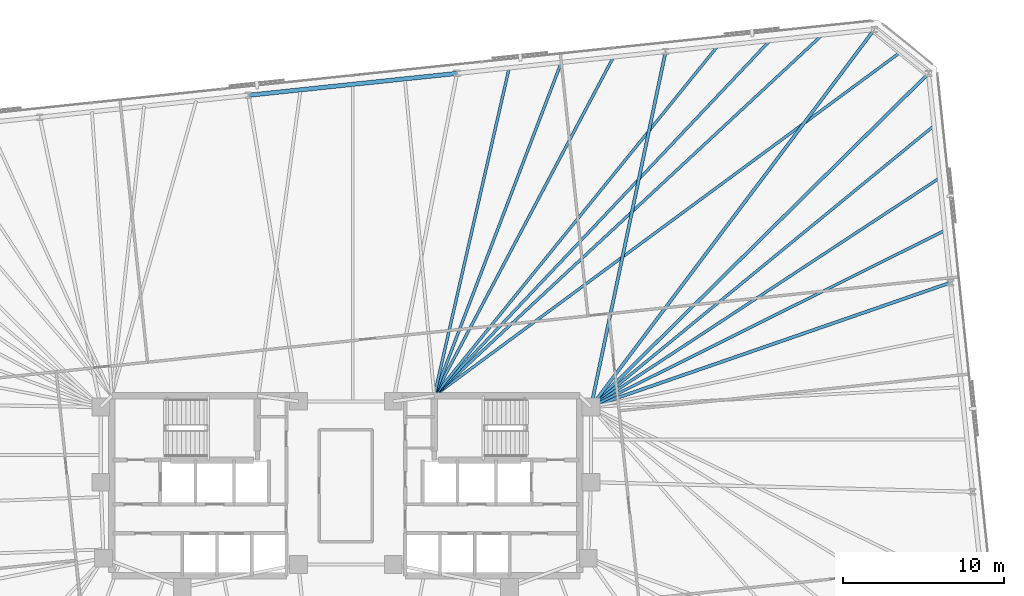
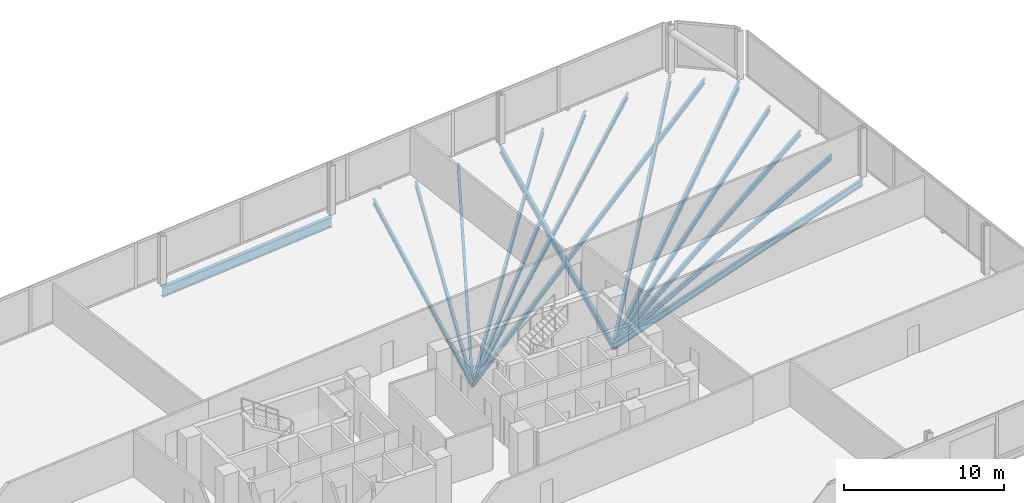
# One storey, part 10 of 18: 15 beams.
"""IFC4 building model written with IfcOpenShell, lengths in metres."""

from ifc_helpers import new_model, si_unit, direction, frame, origin, origin_2d, place, context, subcontext, project, spatial, i_section, extrude, material, material_profile, profile_set, type_object, element, save


model = new_model("IFC4")

# Units and contexts
model_context = context("Model", 3, precision=1e-05, world=origin(), true_north=direction((0.0, 1.0)))
body_context = subcontext(model_context, "Body", "Model", "MODEL_VIEW")
ifc_project = project(units=[si_unit("LENGTHUNIT", "METRE"), si_unit("AREAUNIT", "SQUARE_METRE"), si_unit("VOLUMEUNIT", "CUBIC_METRE"), si_unit("PLANEANGLEUNIT", "RADIAN"), si_unit("MASSUNIT", "GRAM", prefix="KILO")], contexts=[model_context])

# Site, building, storey
site_placement = place(None, origin())
site = spatial("IfcSite", under=ifc_project, at=site_placement, CompositionType="ELEMENT")
building_placement = place(site_placement, origin())
building = spatial("IfcBuilding", under=site, at=building_placement, Name="Menara Jurai Vektor", CompositionType="ELEMENT")
storey_placement = place(building_placement, frame((0.0, 0.0, 135.5)))
storey = spatial("IfcBuildingStorey", under=building, at=storey_placement, Name="L34", CompositionType="ELEMENT", Elevation=135.5)

# Beams
ifc_material_1 = material(Name="Steel S355", Category="steel")
ifc_material_profile_1 = material_profile(ifc_material_1, i_section(OverallWidth=0.199951171875, OverallDepth=0.5, WebThickness=0.011962890625, FlangeThickness=0.02001953125, at=origin_2d()), Name="PG 500x200x96")
ifc_profile_set_1 = profile_set([ifc_material_profile_1], Name="Steel S355")
beam_type_1 = type_object("IfcBeamType", Name="STR-BM-500", PredefinedType="BEAM", material=ifc_profile_set_1)
beam_1_placement = place(storey_placement, frame((37.62060546875, 12.638427734375, -0.47509765625), z_axis=(-0.945053249867, -0.326916434148, 0.0), x_axis=(0.326916434148, -0.945053249867, 0.0)))
element("IfcBeam", 1, at=beam_1_placement, inside=storey, type_object=beam_type_1, Name="Radial Floor Girder L34-E3", PredefinedType="BEAM", context=body_context, shape_type="SweptSolid", body=[
    extrude(i_section(OverallWidth=0.199951171875, OverallDepth=0.5, WebThickness=0.011962890625, FlangeThickness=0.02001953125, at=origin_2d()), origin(), (0.0, 0.0, 1.0), 23.671142578125),
])
beam_2_placement = place(storey_placement, frame((36.252685546875, 25.652099609375, -0.47509765625), z_axis=(-0.711335927547, -0.702852188004, 0.0), x_axis=(0.702852188004, -0.711335927547, 0.0)))
element("IfcBeam", 2, at=beam_2_placement, inside=storey, type_object=beam_type_1, Name="Radial Floor Girder L34-E4", PredefinedType="BEAM", context=body_context, shape_type="SweptSolid", body=[
    extrude(i_section(OverallWidth=0.199951171875, OverallDepth=0.5, WebThickness=0.011962890625, FlangeThickness=0.02001953125, at=origin_2d()), origin(), (0.0, 0.0, 1.0), 29.525634765625),
])
beam_3_placement = place(storey_placement, frame((32.876220703125, 28.38623046875, -0.47509765625), z_axis=(-0.600250057552, -0.799812395758, 0.0), x_axis=(0.799812395758, -0.600250057552, 0.0)))
element("IfcBeam", 3, at=beam_3_placement, inside=storey, type_object=beam_type_1, Name="Radial Floor Girder L34-N1", PredefinedType="BEAM", context=body_context, shape_type="SweptSolid", body=[
    extrude(i_section(OverallWidth=0.199951171875, OverallDepth=0.5, WebThickness=0.011962890625, FlangeThickness=0.02001953125, at=origin_2d()), origin(), (0.0, 0.0, 1.0), 29.36474609375),
])
beam_4_placement = place(storey_placement, frame((19.896728515625, 27.02197265625, -0.47509765625), z_axis=(-0.205563576063, -0.978643763683, 0.0), x_axis=(0.978643763683, -0.205563576063, 0.0)))
element("IfcBeam", 4, at=beam_4_placement, inside=storey, type_object=beam_type_1, Name="Radial Floor Girder L34-N2", PredefinedType="BEAM", context=body_context, shape_type="SweptSolid", body=[
    extrude(i_section(OverallWidth=0.199951171875, OverallDepth=0.5, WebThickness=0.011962890625, FlangeThickness=0.02001953125, at=origin_2d()), origin(), (0.0, 0.0, 1.0), 22.604736328125),
])
ifc_material_profile_2 = material_profile(ifc_material_1, i_section(OverallWidth=0.175048828125, OverallDepth=0.3798828125, WebThickness=0.010009765625, FlangeThickness=0.014892578125, at=origin_2d()), Name="PG 380x175x58")
ifc_profile_set_2 = profile_set([ifc_material_profile_2], Name="Steel S355")
beam_type_2 = type_object("IfcBeamType", Name="STR-JS-380", PredefinedType="JOIST", material=ifc_profile_set_2)
beam_5_placement = place(storey_placement, frame((37.278564453125, 15.891845703125, -0.4150390625), z_axis=(-0.894789854106, -0.446487532849, 0.0), x_axis=(0.446487532849, -0.894789854106, 0.0)))
element("IfcBeam", 5, at=beam_5_placement, inside=storey, type_object=beam_type_2, Name="Radial Secondary Floor Joist L34-JS16", PredefinedType="JOIST", context=body_context, shape_type="SweptSolid", body=[
    extrude(i_section(OverallWidth=0.175048828125, OverallDepth=0.3798828125, WebThickness=0.010009765625, FlangeThickness=0.014892578125, at=origin_2d()), origin(), (0.0, 0.0, 1.0), 24.61865234375),
])
beam_6_placement = place(storey_placement, frame((36.936767578125, 19.145263671875, -0.4150390625), z_axis=(-0.835810585743, -0.549017909326, 0.0), x_axis=(0.549017909326, -0.835810585743, 0.0)))
element("IfcBeam", 6, at=beam_6_placement, inside=storey, type_object=beam_type_2, Name="Radial Secondary Floor Joist L34-JS17", PredefinedType="JOIST", context=body_context, shape_type="SweptSolid", body=[
    extrude(i_section(OverallWidth=0.175048828125, OverallDepth=0.3798828125, WebThickness=0.010009765625, FlangeThickness=0.014892578125, at=origin_2d()), origin(), (0.0, 0.0, 1.0), 25.947021484375),
])
beam_7_placement = place(storey_placement, frame((36.5947265625, 22.398681640625, -0.4150390625), z_axis=(-0.773337004811, -0.63399517111, 0.0), x_axis=(0.63399517111, -0.773337004811, 0.0)))
element("IfcBeam", 7, at=beam_7_placement, inside=storey, type_object=beam_type_2, Name="Radial Secondary Floor Joist L34-JS18", PredefinedType="JOIST", context=body_context, shape_type="SweptSolid", body=[
    extrude(i_section(OverallWidth=0.175048828125, OverallDepth=0.3798828125, WebThickness=0.010009765625, FlangeThickness=0.014892578125, at=origin_2d()), origin(), (0.0, 0.0, 1.0), 27.600830078125),
])
beam_8_placement = place(storey_placement, frame((34.564453125, 27.01904296875, -0.4150390625), z_axis=(-0.805015724179, -0.593253473504, 0.0), x_axis=(0.593253473504, -0.805015724179, 0.0)))
element("IfcBeam", 8, at=beam_8_placement, inside=storey, type_object=beam_type_2, Name="Radial Secondary Floor Joist L34-JS19", PredefinedType="JOIST", context=body_context, shape_type="SweptSolid", body=[
    extrude(i_section(OverallWidth=0.175048828125, OverallDepth=0.3798828125, WebThickness=0.010009765625, FlangeThickness=0.014892578125, at=origin_2d()), origin(), (0.0, 0.0, 1.0), 36.104248046875),
])
beam_9_placement = place(storey_placement, frame((29.63134765625, 28.045166015625, -0.4150390625), z_axis=(-0.732227546694, -0.681060070671, 0.0), x_axis=(0.681060070671, -0.732227546694, 0.0)))
element("IfcBeam", 9, at=beam_9_placement, inside=storey, type_object=beam_type_2, Name="Radial Secondary Floor Joist L34-JS20", PredefinedType="JOIST", context=body_context, shape_type="SweptSolid", body=[
    extrude(i_section(OverallWidth=0.175048828125, OverallDepth=0.3798828125, WebThickness=0.010009765625, FlangeThickness=0.014892578125, at=origin_2d()), origin(), (0.0, 0.0, 1.0), 32.9560546875),
])
beam_10_placement = place(storey_placement, frame((26.386474609375, 27.7041015625, -0.4150390625), z_axis=(-0.686805497462, -0.726841254096, 0.0), x_axis=(0.726841254096, -0.686805497462, 0.0)))
element("IfcBeam", 10, at=beam_10_placement, inside=storey, type_object=beam_type_2, Name="Radial Secondary Floor Joist L34-JS21", PredefinedType="JOIST", context=body_context, shape_type="SweptSolid", body=[
    extrude(i_section(OverallWidth=0.175048828125, OverallDepth=0.3798828125, WebThickness=0.010009765625, FlangeThickness=0.014892578125, at=origin_2d()), origin(), (0.0, 0.0, 1.0), 30.4111328125),
])
beam_11_placement = place(storey_placement, frame((23.1416015625, 27.363037109375, -0.4150390625), z_axis=(-0.629715269624, -0.776826028917, 0.0), x_axis=(0.776826028917, -0.629715269624, 0.0)))
element("IfcBeam", 11, at=beam_11_placement, inside=storey, type_object=beam_type_2, Name="Radial Secondary Floor Joist L34-JS22", PredefinedType="JOIST", context=body_context, shape_type="SweptSolid", body=[
    extrude(i_section(OverallWidth=0.175048828125, OverallDepth=0.3798828125, WebThickness=0.010009765625, FlangeThickness=0.014892578125, at=origin_2d()), origin(), (0.0, 0.0, 1.0), 28.01513671875),
])
beam_12_placement = place(storey_placement, frame((16.651611328125, 26.680908203125, -0.4150390625), z_axis=(-0.467598899237, -0.883940761268, 0.0), x_axis=(0.883940761268, -0.467598899237, 0.0)))
element("IfcBeam", 12, at=beam_12_placement, inside=storey, type_object=beam_type_2, Name="Radial Secondary Floor Joist L34-JS23", PredefinedType="JOIST", context=body_context, shape_type="SweptSolid", body=[
    extrude(i_section(OverallWidth=0.175048828125, OverallDepth=0.3798828125, WebThickness=0.010009765625, FlangeThickness=0.014892578125, at=origin_2d()), origin(), (0.0, 0.0, 1.0), 23.8486328125),
])
beam_13_placement = place(storey_placement, frame((13.40673828125, 26.33984375, -0.4150390625), z_axis=(-0.3562267616, -0.934399536772, 0.0), x_axis=(0.934399536772, -0.3562267616, 0.0)))
element("IfcBeam", 13, at=beam_13_placement, inside=storey, type_object=beam_type_2, Name="Radial Secondary Floor Joist L34-JS24", PredefinedType="JOIST", context=body_context, shape_type="SweptSolid", body=[
    extrude(i_section(OverallWidth=0.175048828125, OverallDepth=0.3798828125, WebThickness=0.010009765625, FlangeThickness=0.014892578125, at=origin_2d()), origin(), (0.0, 0.0, 1.0), 22.19580078125),
])
beam_14_placement = place(storey_placement, frame((10.161865234375, 25.998779296875, -0.4150390625), z_axis=(-0.222793437271, -0.974865675008, 0.0), x_axis=(0.974865675008, -0.222793437271, 0.0)))
element("IfcBeam", 14, at=beam_14_placement, inside=storey, type_object=beam_type_2, Name="Radial Secondary Floor Joist L34-JS25", PredefinedType="JOIST", context=body_context, shape_type="SweptSolid", body=[
    extrude(i_section(OverallWidth=0.175048828125, OverallDepth=0.3798828125, WebThickness=0.010009765625, FlangeThickness=0.014892578125, at=origin_2d()), origin(), (0.0, 0.0, 1.0), 20.924560546875),
])
ifc_material_2 = material(Name="Steel S460", Category="steel")
ifc_material_profile_3 = material_profile(ifc_material_2, i_section(OverallWidth=0.26806640625, OverallDepth=0.77001953125, WebThickness=0.01611328125, FlangeThickness=0.02490234375, FilletRadius=0.01708984375, at=origin_2d()), Name="UKB 762x267x197")
ifc_profile_set_3 = profile_set([ifc_material_profile_3], Name="Steel S460")
beam_type_3 = type_object("IfcBeamType", Name="STR-SP-762", PredefinedType="SPANDREL", material=ifc_profile_set_3)
beam_15_placement = place(storey_placement, frame((6.9169921875, 25.65771484375, -0.610107421875), z_axis=(-0.994521431679, -0.104532874882, 0.0), x_axis=(0.104532874882, -0.994521431679, 0.0)))
element("IfcBeam", 15, at=beam_15_placement, inside=storey, type_object=beam_type_3, Name="Exoskeleton Spandrel Beam L34-13", PredefinedType="SPANDREL", context=body_context, shape_type="SweptSolid", body=[
    extrude(i_section(OverallWidth=0.26806640625, OverallDepth=0.77001953125, WebThickness=0.01611328125, FlangeThickness=0.02490234375, FilletRadius=0.01708984375, at=origin_2d()), origin(), (0.0, 0.0, 1.0), 13.051025390625),
])

save(model, "model.ifc")
